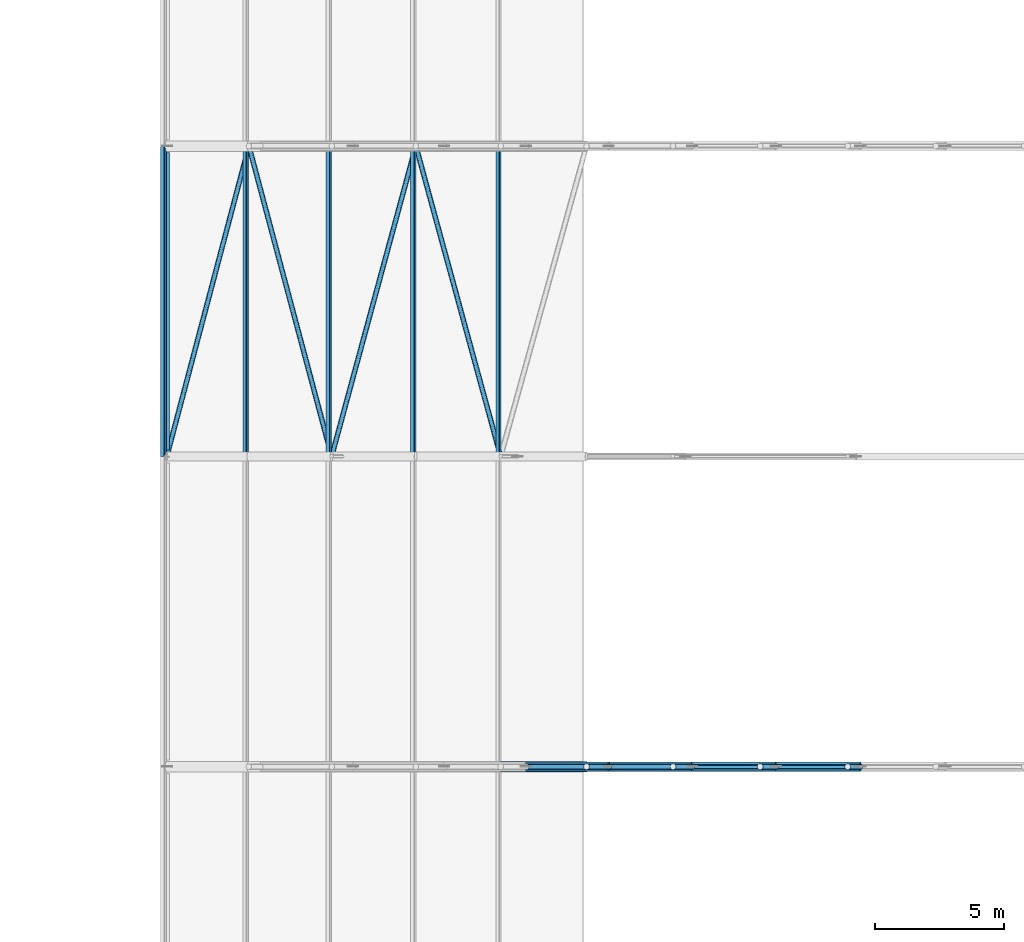
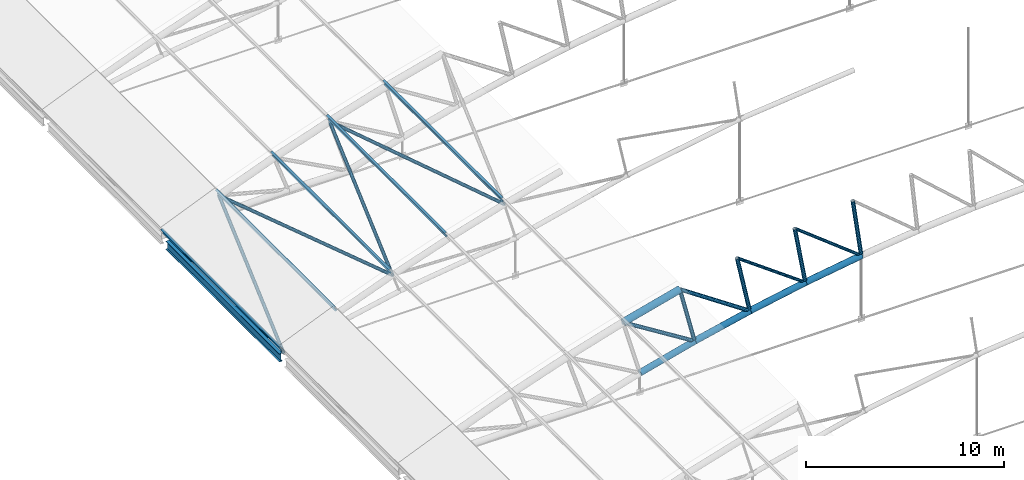
# One storey, part 30 of 321: 22 members, 1 beam.
"""IFC4 building model written with IfcOpenShell, lengths in metres."""

from ifc_helpers import new_model, si_unit, direction, frame, origin, origin_2d, place, context, subcontext, project, spatial, hollow_circle, i_section, extrude, material, material_profile, profile_set, type_object, element, save


model = new_model("IFC4")

# Units and contexts
model_context = context("Model", 3, precision=1e-05, world=origin(), true_north=direction((0.0, 1.0)))
body_context = subcontext(model_context, "Body", "Model", "MODEL_VIEW")
ifc_project = project(units=[si_unit("LENGTHUNIT", "METRE"), si_unit("AREAUNIT", "SQUARE_METRE"), si_unit("VOLUMEUNIT", "CUBIC_METRE"), si_unit("PLANEANGLEUNIT", "RADIAN"), si_unit("MASSUNIT", "GRAM", prefix="KILO")], contexts=[model_context])

# Site, building, storey
site_placement = place(None, origin())
site = spatial("IfcSite", under=ifc_project, at=site_placement, CompositionType="ELEMENT")
building_placement = place(site_placement, origin())
building = spatial("IfcBuilding", under=site, at=building_placement, Name="Ravi Spectrum Wholesale Market", CompositionType="ELEMENT")
storey_placement = place(building_placement, frame((0.0, 0.0, 10.800048828125)))
storey = spatial("IfcBuildingStorey", under=building, at=storey_placement, Name="L02", CompositionType="ELEMENT", Elevation=10.800048828125)

# Members
ifc_material_1 = material(Name="Steel S355", Category="steel")
ifc_material_profile_1 = material_profile(ifc_material_1, hollow_circle(Radius=0.084228515625, WallThickness=0.00634765625, at=origin_2d()))
ifc_profile_set_1 = profile_set([ifc_material_profile_1], Name="Steel S355")
member_type_1 = type_object("IfcMemberType", Name="CHS 168.3x6.3 brace", PredefinedType="BRACE", material=ifc_profile_set_1)
for number, where, z_axis, x_axis, name in (
    (1, (49.563720703125, 54.0, 6.27734375), (0.808703958366, 0.0, -0.588215868303), (0.0, 1.0, 0.0), "H1-MB-L02-239"),
    (2, (52.9326171875, 54.0, 6.92431640625), (0.787944778548, 0.0, -0.615745910225), (0.0, 1.0, 0.0), "H1-MB-L02-240"),
):
    element("IfcMember", number, at=place(storey_placement, frame(where, z_axis=z_axis, x_axis=x_axis)), inside=storey, type_object=member_type_1, Name=name, PredefinedType="BRACE", context=body_context, shape_type="SweptSolid", body=[
        extrude(hollow_circle(Radius=0.084228515625, WallThickness=0.00634765625, at=origin_2d()), origin(), (0.0, 0.0, 1.0), 4.9296875),
    ])
ifc_material_2 = material(Name="Steel S355", Category="steel")
ifc_material_profile_2 = material_profile(ifc_material_2, hollow_circle(Radius=0.096923828125, WallThickness=0.00634765625, at=origin_2d()))
ifc_profile_set_2 = profile_set([ifc_material_profile_2], Name="Steel S355")
member_type_2 = type_object("IfcMemberType", Name="CHS 193.7x6.3 brace", PredefinedType="BRACE", material=ifc_profile_set_2)
member_1_placement = place(storey_placement, frame((29.98974609375, 66.0, 0.023193359375), z_axis=(0.254316239018, 0.961476177233, 0.104339883003), x_axis=(-0.966753007225, 0.255711992329, 0.0)))
element("IfcMember", 3, at=member_1_placement, inside=storey, type_object=member_type_2, Name="H1-MB-L02-1608", PredefinedType="BRACE", context=body_context, shape_type="SweptSolid", body=[
    extrude(hollow_circle(Radius=0.096923828125, WallThickness=0.00634765625, at=origin_2d()), origin(), (0.0, 0.0, 1.0), 12.480712890625),
])
member_2_placement = place(storey_placement, frame((33.163818359375, 78.0, 1.325439453125), z_axis=(0.256330404397, -0.961473751291, 0.099312382717), x_axis=(0.966250599295, 0.257603919539, 0.0)))
element("IfcMember", 4, at=member_2_placement, inside=storey, type_object=member_type_2, Name="H1-MB-L02-1609", PredefinedType="BRACE", context=body_context, shape_type="SweptSolid", body=[
    extrude(hollow_circle(Radius=0.096923828125, WallThickness=0.00634765625, at=origin_2d()), origin(), (0.0, 0.0, 1.0), 12.48095703125),
])
for number, where, z_axis, x_axis, name in (
    (5, (36.363037109375, 66.0, 2.56494140625), (0.260908126195, 0.961475200084, 0.086558588875), (-0.965097440522, 0.261891065708, 0.0), "H1-MB-L02-1610"),
    (6, (39.619384765625, 78.0, 3.645263671875), (0.262551801783, -0.961477139117, 0.08141414089), (0.964679529004, 0.263426282517, 0.0), "H1-MB-L02-1611"),
):
    element("IfcMember", number, at=place(storey_placement, frame(where, z_axis=z_axis, x_axis=x_axis)), inside=storey, type_object=member_type_2, Name=name, PredefinedType="BRACE", context=body_context, shape_type="SweptSolid", body=[
        extrude(hollow_circle(Radius=0.096923828125, WallThickness=0.00634765625, at=origin_2d()), origin(), (0.0, 0.0, 1.0), 12.480712890625),
    ])
ifc_material_3 = material(Name="Steel S355", Category="steel")
ifc_material_profile_3 = material_profile(ifc_material_3, hollow_circle(Radius=0.109619140625, WallThickness=0.008056640625, at=origin_2d()))
ifc_profile_set_3 = profile_set([ifc_material_profile_3], Name="Steel S355")
member_type_3 = type_object("IfcMemberType", Name="CHS 219.1x8 brace", PredefinedType="BRACE", material=ifc_profile_set_3)
for number, where, z_axis, x_axis, name in (
    (7, (42.903076171875, 54.0, 4.63671875), (0.847368909482, 0.0, -0.531004643335), (0.0, 1.0, 0.0), "H1-MB-L02-237"),
    (8, (46.21923828125, 54.0, 5.514404296875), (0.828544259915, 0.0, -0.559923574573), (0.0, 1.0, 0.0), "H1-MB-L02-238"),
):
    element("IfcMember", number, at=place(storey_placement, frame(where, z_axis=z_axis, x_axis=x_axis)), inside=storey, type_object=member_type_3, Name=name, PredefinedType="BRACE", context=body_context, shape_type="SweptSolid", body=[
        extrude(hollow_circle(Radius=0.109619140625, WallThickness=0.008056640625, at=origin_2d()), origin(), (0.0, 0.0, 1.0), 4.9296875),
    ])
ifc_material_4 = material(Name="Steel S355", Category="steel")
ifc_material_profile_4 = material_profile(ifc_material_4, hollow_circle(Radius=0.109619140625, WallThickness=0.008056640625, at=origin_2d()))
ifc_profile_set_4 = profile_set([ifc_material_profile_4], Name="Steel S355")
member_type_4 = type_object("IfcMemberType", Name="CHS 219.1x8 post", PredefinedType="POST", material=ifc_profile_set_4)
member_3_placement = place(storey_placement, frame((46.21923828125, 54.0, 5.514404296875), z_axis=(0.239199072456, 0.0, -0.970970547306), x_axis=(0.0, 1.0, 0.0)))
element("IfcMember", 9, at=member_3_placement, inside=storey, type_object=member_type_4, Name="H1-MB-L02-215", PredefinedType="POST", context=body_context, shape_type="SweptSolid", body=[
    extrude(hollow_circle(Radius=0.109619140625, WallThickness=0.008056640625, at=origin_2d()), origin(), (0.0, 0.0, 1.0), 3.599853515625),
])
for number, where, z_axis, x_axis, name in (
    (10, (49.563720703125, 54.0, 6.27734375), (0.205549060287, 0.0, -0.978646812602), (0.0, 1.0, 0.0), "H1-MB-L02-216"),
    (11, (52.9326171875, 54.0, 6.92431640625), (0.171575852457, 0.0, -0.985170912509), (0.0, 1.0, 0.0), "H1-MB-L02-217"),
):
    element("IfcMember", number, at=place(storey_placement, frame(where, z_axis=z_axis, x_axis=x_axis)), inside=storey, type_object=member_type_4, Name=name, PredefinedType="POST", context=body_context, shape_type="SweptSolid", body=[
        extrude(hollow_circle(Radius=0.109619140625, WallThickness=0.008056640625, at=origin_2d()), origin(), (0.0, 0.0, 1.0), 3.60009765625),
    ])
member_4_placement = place(storey_placement, frame((56.321533203125, 54.0, 7.45458984375), z_axis=(0.137603486835, 0.0, -0.990487395382), x_axis=(0.0, 1.0, 0.0)))
element("IfcMember", 12, at=member_4_placement, inside=storey, type_object=member_type_4, Name="H1-MB-L02-218", PredefinedType="POST", context=body_context, shape_type="SweptSolid", body=[
    extrude(hollow_circle(Radius=0.109619140625, WallThickness=0.008056640625, at=origin_2d()), origin(), (0.0, 0.0, 1.0), 3.599853515625),
])
ifc_material_5 = material(Name="Steel S355", Category="steel")
ifc_material_profile_5 = material_profile(ifc_material_5, hollow_circle(Radius=0.177734375, WallThickness=0.012451171875, at=origin_2d()))
ifc_profile_set_5 = profile_set([ifc_material_profile_5], Name="Steel S355")
member_type_5 = type_object("IfcMemberType", Name="CHS 355.6x12.5 chord", PredefinedType="CHORD", material=ifc_profile_set_5)
for number, where, z_axis, x_axis, name in (
    (13, (43.88427734375, 54.0, 1.173095703125), (0.966710063159, 0.0, 0.255874292938), (0.0, 1.0, 0.0), "H1-MB-L02-191"),
    (14, (47.080322265625, 54.0, 2.01904296875), (0.974967923727, 0.0, 0.222345559217), (0.0, 1.0, 0.0), "H1-MB-L02-192"),
):
    element("IfcMember", number, at=place(storey_placement, frame(where, z_axis=z_axis, x_axis=x_axis)), inside=storey, type_object=member_type_5, Name=name, PredefinedType="CHORD", context=body_context, shape_type="SweptSolid", body=[
        extrude(hollow_circle(Radius=0.177734375, WallThickness=0.012451171875, at=origin_2d()), origin(), (0.0, 0.0, 1.0), 3.30615234375),
    ])
member_5_placement = place(storey_placement, frame((50.3037109375, 54.0, 2.754150390625), z_axis=(0.982051718756, 0.0, 0.188611828072), x_axis=(0.0, 1.0, 0.0)))
element("IfcMember", 15, at=member_5_placement, inside=storey, type_object=member_type_5, Name="H1-MB-L02-193", PredefinedType="CHORD", context=body_context, shape_type="SweptSolid", body=[
    extrude(hollow_circle(Radius=0.177734375, WallThickness=0.012451171875, at=origin_2d()), origin(), (0.0, 0.0, 1.0), 3.305908203125),
])
member_6_placement = place(storey_placement, frame((53.55029296875, 54.0, 3.377685546875), z_axis=(0.987973992944, 0.0, 0.154620145084), x_axis=(0.0, 1.0, 0.0)))
element("IfcMember", 16, at=member_6_placement, inside=storey, type_object=member_type_5, Name="H1-MB-L02-194", PredefinedType="CHORD", context=body_context, shape_type="SweptSolid", body=[
    extrude(hollow_circle(Radius=0.177734375, WallThickness=0.012451171875, at=origin_2d()), origin(), (0.0, 0.0, 1.0), 3.306396484375),
])
ifc_material_6 = material(Name="Steel S355", Category="steel")
ifc_material_profile_6 = material_profile(ifc_material_6, hollow_circle(Radius=0.203125, WallThickness=0.01611328125, at=origin_2d()))
ifc_profile_set_6 = profile_set([ifc_material_profile_6], Name="Steel S355")
member_type_6 = type_object("IfcMemberType", Name="CHS 406.4x16 chord", PredefinedType="CHORD", material=ifc_profile_set_6)
member_7_placement = place(storey_placement, frame((42.903076171875, 54.0, 4.63671875), z_axis=(0.966714030155, 0.0, 0.255859304896), x_axis=(0.0, 1.0, 0.0)))
element("IfcMember", 17, at=member_7_placement, inside=storey, type_object=member_type_6, Name="H1-MB-L02-167", PredefinedType="CHORD", context=body_context, shape_type="SweptSolid", body=[
    extrude(hollow_circle(Radius=0.203125, WallThickness=0.01611328125, at=origin_2d()), origin(), (0.0, 0.0, 1.0), 3.430419921875),
])
ifc_material_7 = material(Name="Steel S355", Category="steel")
ifc_material_profile_7 = material_profile(ifc_material_7, i_section(OverallWidth=0.135009765625, OverallDepth=0.27001953125, WebThickness=0.006591796875, FlangeThickness=0.01025390625, at=origin_2d()))
ifc_profile_set_7 = profile_set([ifc_material_profile_7], Name="Steel S355")
member_type_7 = type_object("IfcMemberType", Name="IPE 270 purlin", PredefinedType="PURLIN", material=ifc_profile_set_7)
for number, where, z_axis, x_axis, name in (
    (18, (29.864013671875, 66.0, 0.3095703125), (0.0, 1.0, 0.0), (-0.915525334521, 0.0, -0.402260316027), "H1-MB-L02-1309"),
    (19, (33.03857421875, 66.0, 1.6396484375), (0.0, 1.0, 0.0), (-0.928855283584, 0.0, -0.370442792017), "H1-MB-L02-1310"),
    (20, (36.25732421875, 66.0, 2.859375), (0.0, 1.0, 0.0), (-0.941079849597, 0.0, -0.338184441811), "H1-MB-L02-1311"),
    (21, (39.515869140625, 66.0, 3.96728515625), (0.0, 1.0, 0.0), (-0.952184497174, 0.0, -0.305523621577), "H1-MB-L02-1312"),
    (22, (42.81103515625, 66.0, 4.962158203125), (0.0, 1.0, 0.0), (-0.96215600485, 0.0, -0.272499215286), "H1-MB-L02-1313"),
):
    element("IfcMember", number, at=place(storey_placement, frame(where, z_axis=z_axis, x_axis=x_axis)), inside=storey, type_object=member_type_7, Name=name, PredefinedType="PURLIN", context=body_context, shape_type="SweptSolid", body=[
        extrude(i_section(OverallWidth=0.135009765625, OverallDepth=0.27001953125, WebThickness=0.006591796875, FlangeThickness=0.01025390625, at=origin_2d()), origin(), (0.0, 0.0, 1.0), 12.0),
    ])

# Beam
ifc_material_8 = material(Name="Steel S355", Category="steel")
ifc_material_profile_8 = material_profile(ifc_material_8, i_section(OverallWidth=0.199951171875, OverallDepth=0.5, WebThickness=0.01025390625, FlangeThickness=0.01611328125, at=origin_2d()))
ifc_profile_set_8 = profile_set([ifc_material_profile_8], Name="Steel S355")
beam_type = type_object("IfcBeamType", Name="IPE 500 girder", PredefinedType="BEAM", material=ifc_profile_set_8)
beam_placement = place(storey_placement, frame((30.0, 66.25390625, -0.449951171875), z_axis=(0.0, 1.0, 0.0), x_axis=(-1.0, 0.0, 0.0)))
element("IfcBeam", 23, at=beam_placement, inside=storey, type_object=beam_type, Name="H1-BM-L02-004", PredefinedType="BEAM", context=body_context, shape_type="SweptSolid", body=[
    extrude(i_section(OverallWidth=0.199951171875, OverallDepth=0.5, WebThickness=0.01025390625, FlangeThickness=0.01611328125, at=origin_2d()), origin(), (0.0, 0.0, 1.0), 11.4921875),
])

save(model, "model.ifc")
